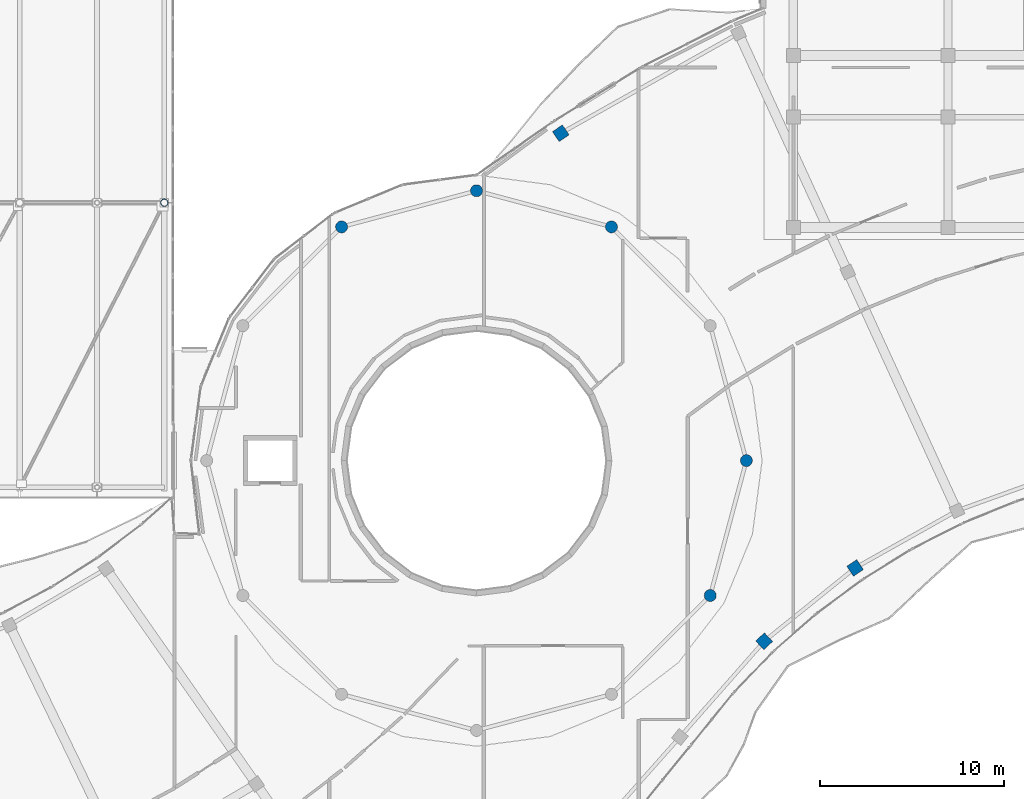
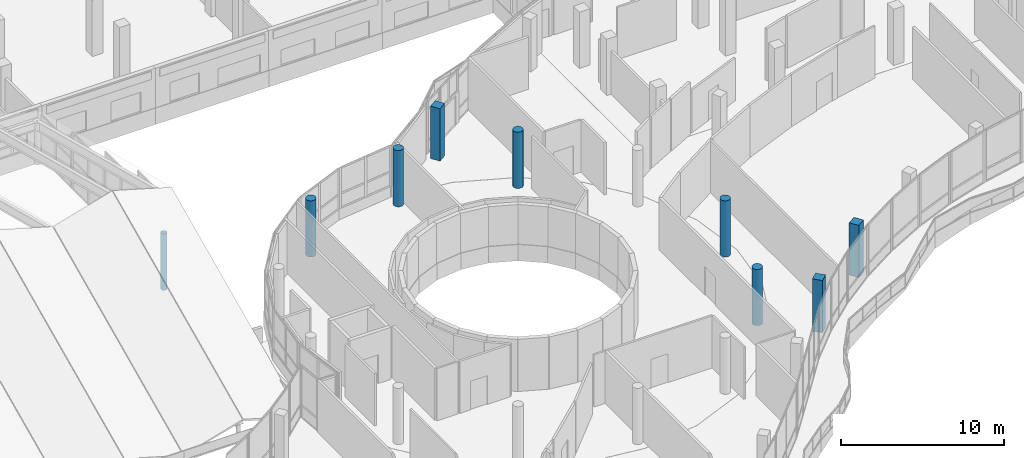
# One storey, part 5 of 184: 9 columns.
"""IFC4 building model written with IfcOpenShell, lengths in metres."""

import ifcopenshell
import ifcopenshell.guid

model = None  # the IFC model being written
_history = None  # IfcOwnerHistory: only IFC2X3 demands one
_inside = {}  # id of a spatial element -> (the spatial element, [elements in it])
_under = {}  # id of a project, library or spatial element -> (it, [spatial elements below it])
_declared = {}  # id of a project -> (the project, [libraries it declares])
_typed = {}  # id of a type object -> (the type object, [elements of that type])
_made_of = {}  # id of a material, layer set ... -> (it, [elements and type objects made of it])


def new_model(schema):
    """Start an empty IFC model of exactly this schema.

    Asked for "IFC4X3", IfcOpenShell would pick the latest addendum, in which some entities
    have other attributes; the version numbers below select the first issue.
    IFC2X3 requires an IfcOwnerHistory on every rooted entity: one is made here for all.
    """
    global model, _history
    if schema == "IFC4X3":
        model = ifcopenshell.file(schema_version=(4, 3, 0, 0))
    else:
        model = ifcopenshell.file(schema=schema)
    _inside.clear()
    _under.clear()
    _declared.clear()
    _typed.clear()
    _made_of.clear()
    _history = None
    if model.schema == "IFC2X3":
        org = make("IfcOrganization", Name="unknown")
        user = make(
            "IfcPersonAndOrganization",
            ThePerson=make("IfcPerson", FamilyName="unknown"),
            TheOrganization=org,
        )
        app = make(
            "IfcApplication",
            ApplicationDeveloper=org,
            Version="unknown",
            ApplicationFullName="unknown",
            ApplicationIdentifier="unknown",
        )
        _history = make(
            "IfcOwnerHistory",
            OwningUser=user,
            OwningApplication=app,
            ChangeAction="ADDED",
            CreationDate=0,
        )
    return model


def make(cls, **values):
    """One entity of the class cls with the attributes given. An attribute that is None is left unset."""
    return model.create_entity(
        cls, **{name: value for name, value in values.items() if value is not None}
    )


def rooted(cls, **values):
    """An entity with a GlobalId (a new one), such as an element, a storey or a relation."""
    return make(cls, GlobalId=ifcopenshell.guid.new(), OwnerHistory=_history, **values)


def si_unit(unit_type, name, prefix=None):
    """IfcSIUnit, for example si_unit("LENGTHUNIT", "METRE", prefix="MILLI")."""
    return make("IfcSIUnit", UnitType=unit_type, Prefix=prefix, Name=name)


def assignment(units):
    """IfcUnitAssignment: the units of a project."""
    return None if units is None else make("IfcUnitAssignment", Units=units)


def point(xyz):
    """IfcCartesianPoint."""
    return None if xyz is None else make("IfcCartesianPoint", Coordinates=xyz)


def direction(xyz):
    """IfcDirection."""
    return None if xyz is None else make("IfcDirection", DirectionRatios=xyz)


def frame(location, z_axis=None, x_axis=None):
    """IfcAxis2Placement3D, a coordinate frame: its origin and axes. An axis left out is left unset."""
    return make(
        "IfcAxis2Placement3D",
        Location=point(location),
        Axis=direction(z_axis),
        RefDirection=direction(x_axis),
    )


def frame_2d(location, x_axis=None):
    """IfcAxis2Placement2D, a coordinate frame in the plane: its origin and x axis."""
    return make(
        "IfcAxis2Placement2D", Location=point(location), RefDirection=direction(x_axis)
    )


def origin():
    """The frame at (0, 0, 0) with its axes left unset."""
    return frame((0.0, 0.0, 0.0))


def origin_2d():
    """The frame at (0, 0) in the plane with its x axis left unset."""
    return frame_2d((0.0, 0.0))


def place(relative_to, where):
    """IfcLocalPlacement: puts the frame where relative to a parent placement (None: the world)."""
    return make(
        "IfcLocalPlacement", PlacementRelTo=relative_to, RelativePlacement=where
    )


def context(
    kind, dimensions, precision=None, world=None, true_north=None, identifier=None
):
    """IfcGeometricRepresentationContext, for example the 3D "Model" context."""
    return make(
        "IfcGeometricRepresentationContext",
        ContextIdentifier=identifier,
        ContextType=kind,
        CoordinateSpaceDimension=dimensions,
        Precision=precision,
        WorldCoordinateSystem=world,
        TrueNorth=true_north,
    )


def subcontext(parent, identifier, kind, view, scale=None):
    """IfcGeometricRepresentationSubContext, for example "Body" below "Model"."""
    return make(
        "IfcGeometricRepresentationSubContext",
        ContextIdentifier=identifier,
        ContextType=kind,
        ParentContext=parent,
        TargetScale=scale,
        TargetView=view,
    )


def project(units=None, contexts=None):
    """IfcProject with its units and contexts."""
    return rooted(
        "IfcProject",
        Name="project",
        RepresentationContexts=contexts,
        UnitsInContext=assignment(units),
    )


def spatial(cls, under=None, at=None, **own):
    """A site, building, storey or space (cls), placed at a placement, below another one or the project."""
    s = rooted(cls, ObjectPlacement=at, **own)
    if under is not None:
        _under.setdefault(under.id(), (under, []))[1].append(s)
    return s


def profile(cls, at=None, kind="AREA", **sizes):
    """A parametric profile (cls). Its sizes go by their IFC names, for example OverallWidth=200.0."""
    return make(cls, ProfileType=kind, Position=at, **sizes)


def rectangle(**sizes):
    """IfcRectangleProfileDef."""
    return profile("IfcRectangleProfileDef", **sizes)


def circle(**sizes):
    """IfcCircleProfileDef."""
    return profile("IfcCircleProfileDef", **sizes)


def hollow_circle(**sizes):
    """IfcCircleHollowProfileDef."""
    return profile("IfcCircleHollowProfileDef", **sizes)


def extrude(swept, where, along, depth):
    """IfcExtrudedAreaSolid: the profile swept, set in the frame where, extruded along a direction by depth."""
    return make(
        "IfcExtrudedAreaSolid",
        SweptArea=swept,
        Position=where,
        ExtrudedDirection=direction(along),
        Depth=depth,
    )


def shape(context_of_items, identifier, shape_type, items):
    """IfcShapeRepresentation: the items that make up one representation, for example the "Body"."""
    return make(
        "IfcShapeRepresentation",
        ContextOfItems=context_of_items,
        RepresentationIdentifier=identifier,
        RepresentationType=shape_type,
        Items=items,
    )


def material(Name=None, Category=None):
    """IfcMaterial."""
    return make("IfcMaterial", Name=Name, Category=Category)


def material_profile(
    of_material, cross_section, Name=None, Category=None, Priority=None
):
    """IfcMaterialProfile: a cross section and its material."""
    return make(
        "IfcMaterialProfile",
        Name=Name,
        Material=of_material,
        Profile=cross_section,
        Priority=Priority,
        Category=Category,
    )


def profile_set(profiles, Name=None, composite=None):
    """IfcMaterialProfileSet."""
    return make(
        "IfcMaterialProfileSet",
        Name=Name,
        MaterialProfiles=profiles,
        CompositeProfile=composite,
    )


def made_of(thing, what):
    """Note that an element or type object is made of a material, layer set ...; save() writes the relation."""
    if what is not None:
        _made_of.setdefault(what.id(), (what, []))[1].append(thing)
    return thing


def type_object(cls, material=None, **own):
    """A type object (cls), such as IfcWallType, which elements share."""
    return made_of(rooted(cls, **own), material)


def element(
    cls,
    number,
    at=None,
    inside=None,
    cuts=None,
    type_object=None,
    material=None,
    context=None,
    identifier="Body",
    shape_type=None,
    held_by="IfcProductDefinitionShape",
    body=None,
    shapes=None,
    **own,
):
    """One element of the class cls, such as IfcWall. Its Tag is "e" and its number.

    at: its placement. inside: the storey or other place that contains it. cuts: it is an
    opening in that element (IfcRelVoidsElement). A single representation is given by context,
    identifier, shape_type and body (its items); several are given by shapes. held_by: the class
    of the entity that holds the representations. save() writes the other relations.
    """
    e = rooted(cls, Tag="e%d" % number, ObjectPlacement=at, **own)
    if body is not None:
        shapes = [shape(context, identifier, shape_type, body)]
    if shapes is not None:
        e.Representation = make(held_by, Representations=shapes)
    if inside is not None:
        _inside.setdefault(inside.id(), (inside, []))[1].append(e)
    if cuts is not None:
        rooted(
            "IfcRelVoidsElement", RelatingBuildingElement=cuts, RelatedOpeningElement=e
        )
    if type_object is not None:
        _typed.setdefault(type_object.id(), (type_object, []))[1].append(e)
    return made_of(e, material)


def aggregate(whole, parts):
    """IfcRelAggregates: a whole, such as a stair, and the parts it consists of."""
    return rooted("IfcRelAggregates", RelatingObject=whole, RelatedObjects=parts)


def save(model, path):
    """Write the relations noted so far, then the file.

    IfcRelAggregates (storeys below a building ...), IfcRelContainedInSpatialStructure (elements
    in a storey), IfcRelDefinesByType, IfcRelAssociatesMaterial and IfcRelDeclares: one each for
    every whole, place, type object, material and project.
    """
    for whole, parts in _under.values():
        aggregate(whole, parts)
    for where, things in _inside.values():
        rooted(
            "IfcRelContainedInSpatialStructure",
            RelatedElements=things,
            RelatingStructure=where,
        )
    for kind, things in _typed.values():
        rooted("IfcRelDefinesByType", RelatedObjects=things, RelatingType=kind)
    for what, things in _made_of.values():
        rooted("IfcRelAssociatesMaterial", RelatedObjects=things, RelatingMaterial=what)
    for by, libraries in _declared.values():
        rooted("IfcRelDeclares", RelatingContext=by, RelatedDefinitions=libraries)
    model.write(path)


model = new_model("IFC4")

# Units and contexts
model_context = context("Model", 3, precision=1e-05, world=origin(), true_north=direction((0.0, 1.0)))
body_context = subcontext(model_context, "Body", "Model", "MODEL_VIEW")
ifc_project = project(units=[si_unit("LENGTHUNIT", "METRE"), si_unit("AREAUNIT", "SQUARE_METRE"), si_unit("VOLUMEUNIT", "CUBIC_METRE"), si_unit("PLANEANGLEUNIT", "RADIAN"), si_unit("MASSUNIT", "GRAM", prefix="KILO")], contexts=[model_context])

# Site, building, storey
site_placement = place(None, origin())
site = spatial("IfcSite", under=ifc_project, at=site_placement, CompositionType="ELEMENT")
building_placement = place(site_placement, origin())
building = spatial("IfcBuilding", under=site, at=building_placement, Name="Selatvlak General Hospital", CompositionType="ELEMENT")
storey_placement = place(building_placement, frame((0.0, 0.0, 15.0)))
storey = spatial("IfcBuildingStorey", under=building, at=storey_placement, Name="L03", CompositionType="ELEMENT", Elevation=15.0)

# Columns
ifc_material_1 = material(Name="Steel S355", Category="steel")
ifc_material_profile_1 = material_profile(ifc_material_1, hollow_circle(Radius=0.203125, WallThickness=0.01611328125, at=origin_2d()), Name="CHS 406.4x16")
ifc_profile_set_1 = profile_set([ifc_material_profile_1], Name="Steel S355")
column_type_1 = type_object("IfcColumnType", Name="COL-CHS406", PredefinedType="COLUMN", material=ifc_profile_set_1)
column_placement = place(storey_placement, frame((81.050048828125, 68.0, 0.0), z_axis=(0.0, 0.0, 1.0), x_axis=(1.0, 0.0, 0.0)))
element("IfcColumn", 1, at=column_placement, inside=storey, type_object=column_type_1, Name="Column 023 on L03", PredefinedType="COLUMN", context=body_context, shape_type="SweptSolid", body=[
    extrude(hollow_circle(Radius=0.203125, WallThickness=0.01611328125, at=origin_2d()), origin(), (0.0, 0.0, 1.0), 4.199951171875),
])
ifc_material_2 = material(Name="Concrete C40/50", Category="concrete")
ifc_material_profile_2 = material_profile(ifc_material_2, rectangle(XDim=0.64990234375, YDim=0.64990234375, at=origin_2d()), Name="RC-COL 650x650")
ifc_profile_set_2 = profile_set([ifc_material_profile_2], Name="Concrete C40/50")
column_type_2 = type_object("IfcColumnType", Name="COL-RC65", PredefinedType="COLUMN", material=ifc_profile_set_2)
for number, where, z_axis, x_axis, name in (
    (2, (113.614990234375, 44.19189453125, 0.0), (0.0, 0.0, 1.0), (-0.689872285383, 0.723931094691, 0.0), "Column 339 on L03"),
    (3, (102.572998046875, 71.77001953125, 0.0), (0.0, 0.0, 1.0), (-0.560725705765, 0.828001620104, 0.0), "Column 340 on L03"),
    (4, (118.552978515625, 48.172119140625, 0.0), (0.0, 0.0, 1.0), (-0.560725705765, 0.828001620104, 0.0), "Column 341 on L03"),
):
    element("IfcColumn", number, at=place(storey_placement, frame(where, z_axis=z_axis, x_axis=x_axis)), inside=storey, type_object=column_type_2, Name=name, PredefinedType="COLUMN", context=body_context, shape_type="SweptSolid", body=[
        extrude(rectangle(XDim=0.64990234375, YDim=0.64990234375, at=origin_2d()), origin(), (0.0, 0.0, 1.0), 3.909912109375),
    ])
ifc_material_profile_3 = material_profile(ifc_material_2, circle(Radius=0.324951171875, at=origin_2d()), Name="RC-COL D650")
ifc_profile_set_3 = profile_set([ifc_material_profile_3], Name="Concrete C40/50")
column_type_3 = type_object("IfcColumnType", Name="COL-RCD65", PredefinedType="COLUMN", material=ifc_profile_set_3)
for number, where, z_axis, x_axis, name in (
    (5, (112.64990234375, 54.0, 0.0), (0.0, 0.0, 1.0), (1.0, 0.0, 0.0), "Column 025 on L03"),
    (6, (105.324951171875, 66.68701171875, 0.0), (0.0, 0.0, 1.0), (0.5, 0.866025403784, 0.0), "Column 027 on L03"),
    (7, (98.0, 68.64990234375, 0.0), (0.0, 0.0, 1.0), (0.0, 1.0, 0.0), "Column 028 on L03"),
    (8, (90.675048828125, 66.68701171875, 0.0), (0.0, 0.0, 1.0), (-0.5, 0.866025403784, 0.0), "Column 029 on L03"),
    (9, (110.68701171875, 46.675048828125, 0.0), (0.0, 0.0, 1.0), (0.866025403784, -0.5, 0.0), "Column 036 on L03"),
):
    element("IfcColumn", number, at=place(storey_placement, frame(where, z_axis=z_axis, x_axis=x_axis)), inside=storey, type_object=column_type_3, Name=name, PredefinedType="COLUMN", context=body_context, shape_type="SweptSolid", body=[
        extrude(circle(Radius=0.324951171875, at=origin_2d()), origin(), (0.0, 0.0, 1.0), 4.199951171875),
    ])

save(model, "model.ifc")
